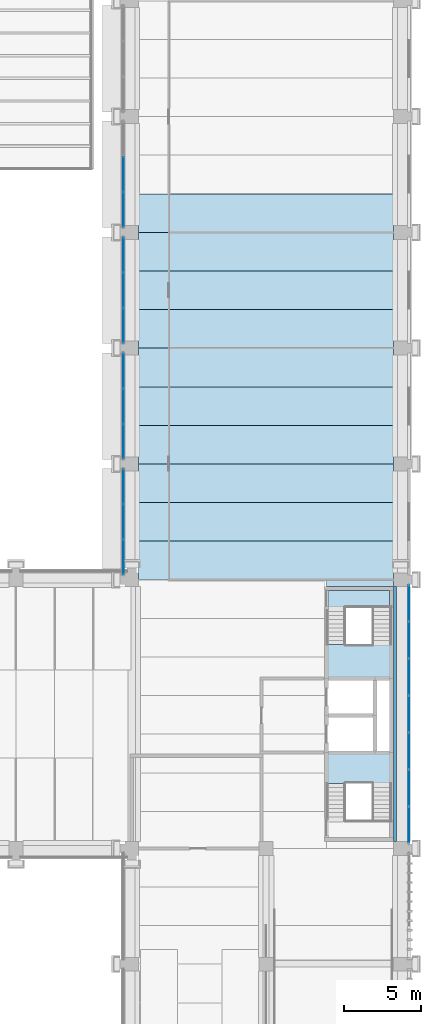
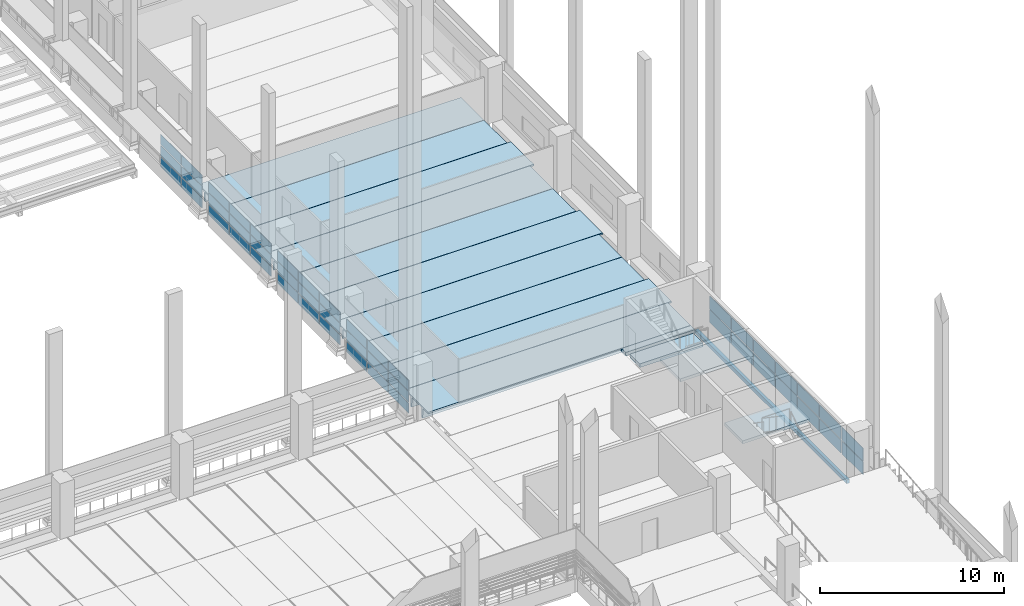
# One storey, part 33 of 67: 47 plates, 15 slabs, 7 elements without a shape of their own.
"""IFC4 building model written with IfcOpenShell, lengths in metres."""

from ifc_helpers import new_model, si_unit, direction, frame, origin, origin_2d, place, context, subcontext, project, spatial, polyline, rectangle, outline, extrude, material, layer, layer_set, material_profile, profile_set, type_object, element, aggregate, save


model = new_model("IFC4")

# Units and contexts
model_context = context("Model", 3, precision=1e-05, world=origin(), true_north=direction((0.0, 1.0)))
body_context = subcontext(model_context, "Body", "Model", "MODEL_VIEW")
ifc_project = project(units=[si_unit("LENGTHUNIT", "METRE"), si_unit("AREAUNIT", "SQUARE_METRE"), si_unit("VOLUMEUNIT", "CUBIC_METRE"), si_unit("PLANEANGLEUNIT", "RADIAN"), si_unit("MASSUNIT", "GRAM", prefix="KILO")], contexts=[model_context])

# Site, building, storey
site_placement = place(None, origin())
site = spatial("IfcSite", under=ifc_project, at=site_placement, CompositionType="ELEMENT")
building_placement = place(site_placement, origin())
building = spatial("IfcBuilding", under=site, at=building_placement, Name="Cour d'Honneur Mobility Palace", CompositionType="ELEMENT")
storey_placement = place(building_placement, frame((0.0, 0.0, 4.5)))
storey = spatial("IfcBuildingStorey", under=building, at=storey_placement, Name="L01", CompositionType="ELEMENT", Elevation=4.5)

# Slabs
ifc_material_1 = material(Name="Concrete C50", Category="concrete")
ifc_layer_1 = layer(ifc_material_1, 0.25)
ifc_layer_set_1 = layer_set([ifc_layer_1], Name="Concrete C50")
slab_type_1 = type_object("IfcSlabType", Name="Cast-in-place Slab 250", PredefinedType="FLOOR", material=ifc_layer_set_1)
slab_1_placement = place(storey_placement, frame((0.0, 0.0, -0.25)))
element("IfcSlab", 1, at=slab_1_placement, inside=storey, type_object=slab_type_1, Name="Cast-in-place slab S1 L01 core", PredefinedType="FLOOR", context=body_context, shape_type="SweptSolid", body=[
    extrude(outline(polyline([(161.85009765625, 61.949951171875), (157.5, 61.949951171875), (157.5, 62.39990234375), (161.85009765625, 62.39990234375), (161.85009765625, 61.949951171875)])), origin(), (0.0, 0.0, 1.0), 0.25),
])
slab_2_placement = place(storey_placement, frame((0.0, 0.0, -0.25)))
element("IfcSlab", 2, at=slab_2_placement, inside=storey, type_object=slab_type_1, Name="Cast-in-place slab S1 L01 core", PredefinedType="FLOOR", context=body_context, shape_type="SweptSolid", body=[
    extrude(outline(polyline([(162.050048828125, 61.949951171875), (162.050048828125, 45.449951171875), (161.85009765625, 45.449951171875), (161.85009765625, 61.949951171875), (162.050048828125, 61.949951171875)])), origin(), (0.0, 0.0, 1.0), 0.25),
])
slab_3_placement = place(storey_placement, frame((0.0, 0.0, -0.25)))
element("IfcSlab", 3, at=slab_3_placement, inside=storey, type_object=slab_type_1, Name="Cast-in-place slab S1 L01 core", PredefinedType="FLOOR", context=body_context, shape_type="SweptSolid", body=[
    extrude(outline(polyline([(161.60009765625, 61.699951171875), (161.60009765625, 60.625), (157.625, 60.625), (157.625, 61.699951171875), (161.60009765625, 61.699951171875)])), origin(), (0.0, 0.0, 1.0), 0.25),
])

# Curtain wall, plates
ifc_material_2 = material(Name="Aluminium and glass", Category="aluminium")
ifc_layer_2 = layer(ifc_material_2, 0.10009765625)
ifc_layer_set_2 = layer_set([ifc_layer_2], Name="Aluminium and glass")
curtain_wall_type = type_object("IfcCurtainWallType", Name="Curtain wall run", PredefinedType="NOTDEFINED", material=ifc_layer_set_2)
curtain_wall_1_placement = place(storey_placement, origin())
curtain_wall_1 = element("IfcCurtainWall", 4, at=curtain_wall_1_placement, inside=storey, type_object=curtain_wall_type, Name="Curtain wall CW-47", PredefinedType="NOTDEFINED")
ifc_material_3 = material(Name="Double glazing", Category="glass")
ifc_layer_3 = layer(ifc_material_3, 0.028076171875)
ifc_layer_set_3 = layer_set([ifc_layer_3], Name="Double glazing")
plate_type = type_object("IfcPlateType", Name="Curtain wall panel", PredefinedType="CURTAIN_PANEL", material=ifc_layer_set_3)
plate_1_placement = place(storey_placement, frame((144.35009765625, 88.64990234375, 0.06005859375), z_axis=(0.0, 0.0, 1.0), x_axis=(0.0, -1.0, 0.0)))
plate_1 = element("IfcPlate", 5, at=plate_1_placement, type_object=plate_type, Name="CW-47 panel 2.1", PredefinedType="CURTAIN_PANEL", context=body_context, shape_type="SweptSolid", body=[
    extrude(rectangle(XDim=2.239990234375, YDim=0.028076171875, at=origin_2d()), origin(), (0.0, 0.0, 1.0), 0.6767578125),
])
plate_2_placement = place(storey_placement, frame((144.35009765625, 88.64990234375, 0.79638671875), z_axis=(0.0, 0.0, 1.0), x_axis=(0.0, -1.0, 0.0)))
plate_2 = element("IfcPlate", 6, at=plate_2_placement, type_object=plate_type, Name="CW-47 panel 2.2", PredefinedType="CURTAIN_PANEL", context=body_context, shape_type="SweptSolid", body=[
    extrude(rectangle(XDim=2.239990234375, YDim=0.028076171875, at=origin_2d()), origin(), (0.0, 0.0, 1.0), 0.706787109375),
])
plate_3_placement = place(storey_placement, frame((144.35009765625, 88.64990234375, 1.563232421875), z_axis=(0.0, 0.0, 1.0), x_axis=(0.0, -1.0, 0.0)))
plate_3 = element("IfcPlate", 7, at=plate_3_placement, type_object=plate_type, Name="CW-47 panel 2.3", PredefinedType="CURTAIN_PANEL", context=body_context, shape_type="SweptSolid", body=[
    extrude(rectangle(XDim=2.239990234375, YDim=0.028076171875, at=origin_2d()), origin(), (0.0, 0.0, 1.0), 0.6767578125),
])
plate_4_placement = place(storey_placement, frame((144.35009765625, 86.364990234375, 0.06005859375), z_axis=(0.0, 0.0, 1.0), x_axis=(0.0, -1.0, 0.0)))
plate_4 = element("IfcPlate", 8, at=plate_4_placement, type_object=plate_type, Name="CW-47 panel 3.1", PredefinedType="CURTAIN_PANEL", context=body_context, shape_type="SweptSolid", body=[
    extrude(rectangle(XDim=2.2099609375, YDim=0.028076171875, at=origin_2d()), origin(), (0.0, 0.0, 1.0), 0.6767578125),
])
plate_5_placement = place(storey_placement, frame((144.35009765625, 86.364990234375, 0.79638671875), z_axis=(0.0, 0.0, 1.0), x_axis=(0.0, -1.0, 0.0)))
plate_5 = element("IfcPlate", 9, at=plate_5_placement, type_object=plate_type, Name="CW-47 panel 3.2", PredefinedType="CURTAIN_PANEL", context=body_context, shape_type="SweptSolid", body=[
    extrude(rectangle(XDim=2.2099609375, YDim=0.028076171875, at=origin_2d()), origin(), (0.0, 0.0, 1.0), 0.706787109375),
])
plate_6_placement = place(storey_placement, frame((144.35009765625, 86.364990234375, 1.563232421875), z_axis=(0.0, 0.0, 1.0), x_axis=(0.0, -1.0, 0.0)))
plate_6 = element("IfcPlate", 10, at=plate_6_placement, type_object=plate_type, Name="CW-47 panel 3.3", PredefinedType="CURTAIN_PANEL", context=body_context, shape_type="SweptSolid", body=[
    extrude(rectangle(XDim=2.2099609375, YDim=0.028076171875, at=origin_2d()), origin(), (0.0, 0.0, 1.0), 0.6767578125),
])
aggregate(curtain_wall_1, [plate_1, plate_2, plate_3, plate_4, plate_5, plate_6])

curtain_wall_2_placement = place(storey_placement, origin())
curtain_wall_2 = element("IfcCurtainWall", 11, at=curtain_wall_2_placement, inside=storey, type_object=curtain_wall_type, Name="Curtain wall CW-48", PredefinedType="NOTDEFINED")
plate_7_placement = place(storey_placement, frame((144.35009765625, 83.43505859375, 0.06005859375), z_axis=(0.0, 0.0, 1.0), x_axis=(0.0, -1.0, 0.0)))
plate_7 = element("IfcPlate", 12, at=plate_7_placement, type_object=plate_type, Name="CW-48 panel 1.1", PredefinedType="CURTAIN_PANEL", context=body_context, shape_type="SweptSolid", body=[
    extrude(rectangle(XDim=2.2099609375, YDim=0.028076171875, at=origin_2d()), origin(), (0.0, 0.0, 1.0), 0.6767578125),
])
plate_8_placement = place(storey_placement, frame((144.35009765625, 83.43505859375, 0.79638671875), z_axis=(0.0, 0.0, 1.0), x_axis=(0.0, -1.0, 0.0)))
plate_8 = element("IfcPlate", 13, at=plate_8_placement, type_object=plate_type, Name="CW-48 panel 1.2", PredefinedType="CURTAIN_PANEL", context=body_context, shape_type="SweptSolid", body=[
    extrude(rectangle(XDim=2.2099609375, YDim=0.028076171875, at=origin_2d()), origin(), (0.0, 0.0, 1.0), 0.706787109375),
])
plate_9_placement = place(storey_placement, frame((144.35009765625, 83.43505859375, 1.563232421875), z_axis=(0.0, 0.0, 1.0), x_axis=(0.0, -1.0, 0.0)))
plate_9 = element("IfcPlate", 14, at=plate_9_placement, type_object=plate_type, Name="CW-48 panel 1.3", PredefinedType="CURTAIN_PANEL", context=body_context, shape_type="SweptSolid", body=[
    extrude(rectangle(XDim=2.2099609375, YDim=0.028076171875, at=origin_2d()), origin(), (0.0, 0.0, 1.0), 0.6767578125),
])
plate_10_placement = place(storey_placement, frame((144.35009765625, 81.14990234375, 0.06005859375), z_axis=(0.0, 0.0, 1.0), x_axis=(0.0, -1.0, 0.0)))
plate_10 = element("IfcPlate", 15, at=plate_10_placement, type_object=plate_type, Name="CW-48 panel 2.1", PredefinedType="CURTAIN_PANEL", context=body_context, shape_type="SweptSolid", body=[
    extrude(rectangle(XDim=2.239990234375, YDim=0.028076171875, at=origin_2d()), origin(), (0.0, 0.0, 1.0), 0.6767578125),
])
plate_11_placement = place(storey_placement, frame((144.35009765625, 81.14990234375, 0.79638671875), z_axis=(0.0, 0.0, 1.0), x_axis=(0.0, -1.0, 0.0)))
plate_11 = element("IfcPlate", 16, at=plate_11_placement, type_object=plate_type, Name="CW-48 panel 2.2", PredefinedType="CURTAIN_PANEL", context=body_context, shape_type="SweptSolid", body=[
    extrude(rectangle(XDim=2.239990234375, YDim=0.028076171875, at=origin_2d()), origin(), (0.0, 0.0, 1.0), 0.706787109375),
])
plate_12_placement = place(storey_placement, frame((144.35009765625, 81.14990234375, 1.563232421875), z_axis=(0.0, 0.0, 1.0), x_axis=(0.0, -1.0, 0.0)))
plate_12 = element("IfcPlate", 17, at=plate_12_placement, type_object=plate_type, Name="CW-48 panel 2.3", PredefinedType="CURTAIN_PANEL", context=body_context, shape_type="SweptSolid", body=[
    extrude(rectangle(XDim=2.239990234375, YDim=0.028076171875, at=origin_2d()), origin(), (0.0, 0.0, 1.0), 0.6767578125),
])
plate_13_placement = place(storey_placement, frame((144.35009765625, 78.864990234375, 0.06005859375), z_axis=(0.0, 0.0, 1.0), x_axis=(0.0, -1.0, 0.0)))
plate_13 = element("IfcPlate", 18, at=plate_13_placement, type_object=plate_type, Name="CW-48 panel 3.1", PredefinedType="CURTAIN_PANEL", context=body_context, shape_type="SweptSolid", body=[
    extrude(rectangle(XDim=2.2099609375, YDim=0.028076171875, at=origin_2d()), origin(), (0.0, 0.0, 1.0), 0.6767578125),
])
plate_14_placement = place(storey_placement, frame((144.35009765625, 78.864990234375, 0.79638671875), z_axis=(0.0, 0.0, 1.0), x_axis=(0.0, -1.0, 0.0)))
plate_14 = element("IfcPlate", 19, at=plate_14_placement, type_object=plate_type, Name="CW-48 panel 3.2", PredefinedType="CURTAIN_PANEL", context=body_context, shape_type="SweptSolid", body=[
    extrude(rectangle(XDim=2.2099609375, YDim=0.028076171875, at=origin_2d()), origin(), (0.0, 0.0, 1.0), 0.706787109375),
])
plate_15_placement = place(storey_placement, frame((144.35009765625, 78.864990234375, 1.563232421875), z_axis=(0.0, 0.0, 1.0), x_axis=(0.0, -1.0, 0.0)))
plate_15 = element("IfcPlate", 20, at=plate_15_placement, type_object=plate_type, Name="CW-48 panel 3.3", PredefinedType="CURTAIN_PANEL", context=body_context, shape_type="SweptSolid", body=[
    extrude(rectangle(XDim=2.2099609375, YDim=0.028076171875, at=origin_2d()), origin(), (0.0, 0.0, 1.0), 0.6767578125),
])
aggregate(curtain_wall_2, [plate_7, plate_8, plate_9, plate_10, plate_11, plate_12, plate_13, plate_14, plate_15])

curtain_wall_3_placement = place(storey_placement, origin())
curtain_wall_3 = element("IfcCurtainWall", 21, at=curtain_wall_3_placement, inside=storey, type_object=curtain_wall_type, Name="Curtain wall CW-49", PredefinedType="NOTDEFINED")
plate_16_placement = place(storey_placement, frame((144.35009765625, 75.93505859375, 0.06005859375), z_axis=(0.0, 0.0, 1.0), x_axis=(0.0, -1.0, 0.0)))
plate_16 = element("IfcPlate", 22, at=plate_16_placement, type_object=plate_type, Name="CW-49 panel 1.1", PredefinedType="CURTAIN_PANEL", context=body_context, shape_type="SweptSolid", body=[
    extrude(rectangle(XDim=2.2099609375, YDim=0.028076171875, at=origin_2d()), origin(), (0.0, 0.0, 1.0), 0.6767578125),
])
plate_17_placement = place(storey_placement, frame((144.35009765625, 75.93505859375, 0.79638671875), z_axis=(0.0, 0.0, 1.0), x_axis=(0.0, -1.0, 0.0)))
plate_17 = element("IfcPlate", 23, at=plate_17_placement, type_object=plate_type, Name="CW-49 panel 1.2", PredefinedType="CURTAIN_PANEL", context=body_context, shape_type="SweptSolid", body=[
    extrude(rectangle(XDim=2.2099609375, YDim=0.028076171875, at=origin_2d()), origin(), (0.0, 0.0, 1.0), 0.706787109375),
])
plate_18_placement = place(storey_placement, frame((144.35009765625, 75.93505859375, 1.563232421875), z_axis=(0.0, 0.0, 1.0), x_axis=(0.0, -1.0, 0.0)))
plate_18 = element("IfcPlate", 24, at=plate_18_placement, type_object=plate_type, Name="CW-49 panel 1.3", PredefinedType="CURTAIN_PANEL", context=body_context, shape_type="SweptSolid", body=[
    extrude(rectangle(XDim=2.2099609375, YDim=0.028076171875, at=origin_2d()), origin(), (0.0, 0.0, 1.0), 0.6767578125),
])
plate_19_placement = place(storey_placement, frame((144.35009765625, 73.64990234375, 0.06005859375), z_axis=(0.0, 0.0, 1.0), x_axis=(0.0, -1.0, 0.0)))
plate_19 = element("IfcPlate", 25, at=plate_19_placement, type_object=plate_type, Name="CW-49 panel 2.1", PredefinedType="CURTAIN_PANEL", context=body_context, shape_type="SweptSolid", body=[
    extrude(rectangle(XDim=2.239990234375, YDim=0.028076171875, at=origin_2d()), origin(), (0.0, 0.0, 1.0), 0.6767578125),
])
plate_20_placement = place(storey_placement, frame((144.35009765625, 73.64990234375, 0.79638671875), z_axis=(0.0, 0.0, 1.0), x_axis=(0.0, -1.0, 0.0)))
plate_20 = element("IfcPlate", 26, at=plate_20_placement, type_object=plate_type, Name="CW-49 panel 2.2", PredefinedType="CURTAIN_PANEL", context=body_context, shape_type="SweptSolid", body=[
    extrude(rectangle(XDim=2.239990234375, YDim=0.028076171875, at=origin_2d()), origin(), (0.0, 0.0, 1.0), 0.706787109375),
])
plate_21_placement = place(storey_placement, frame((144.35009765625, 73.64990234375, 1.563232421875), z_axis=(0.0, 0.0, 1.0), x_axis=(0.0, -1.0, 0.0)))
plate_21 = element("IfcPlate", 27, at=plate_21_placement, type_object=plate_type, Name="CW-49 panel 2.3", PredefinedType="CURTAIN_PANEL", context=body_context, shape_type="SweptSolid", body=[
    extrude(rectangle(XDim=2.239990234375, YDim=0.028076171875, at=origin_2d()), origin(), (0.0, 0.0, 1.0), 0.6767578125),
])
plate_22_placement = place(storey_placement, frame((144.35009765625, 71.364990234375, 0.06005859375), z_axis=(0.0, 0.0, 1.0), x_axis=(0.0, -1.0, 0.0)))
plate_22 = element("IfcPlate", 28, at=plate_22_placement, type_object=plate_type, Name="CW-49 panel 3.1", PredefinedType="CURTAIN_PANEL", context=body_context, shape_type="SweptSolid", body=[
    extrude(rectangle(XDim=2.2099609375, YDim=0.028076171875, at=origin_2d()), origin(), (0.0, 0.0, 1.0), 0.6767578125),
])
plate_23_placement = place(storey_placement, frame((144.35009765625, 71.364990234375, 0.79638671875), z_axis=(0.0, 0.0, 1.0), x_axis=(0.0, -1.0, 0.0)))
plate_23 = element("IfcPlate", 29, at=plate_23_placement, type_object=plate_type, Name="CW-49 panel 3.2", PredefinedType="CURTAIN_PANEL", context=body_context, shape_type="SweptSolid", body=[
    extrude(rectangle(XDim=2.2099609375, YDim=0.028076171875, at=origin_2d()), origin(), (0.0, 0.0, 1.0), 0.706787109375),
])
plate_24_placement = place(storey_placement, frame((144.35009765625, 71.364990234375, 1.563232421875), z_axis=(0.0, 0.0, 1.0), x_axis=(0.0, -1.0, 0.0)))
plate_24 = element("IfcPlate", 30, at=plate_24_placement, type_object=plate_type, Name="CW-49 panel 3.3", PredefinedType="CURTAIN_PANEL", context=body_context, shape_type="SweptSolid", body=[
    extrude(rectangle(XDim=2.2099609375, YDim=0.028076171875, at=origin_2d()), origin(), (0.0, 0.0, 1.0), 0.6767578125),
])
aggregate(curtain_wall_3, [plate_16, plate_17, plate_18, plate_19, plate_20, plate_21, plate_22, plate_23, plate_24])

curtain_wall_4_placement = place(storey_placement, origin())
curtain_wall_4 = element("IfcCurtainWall", 31, at=curtain_wall_4_placement, inside=storey, type_object=curtain_wall_type, Name="Curtain wall CW-50", PredefinedType="NOTDEFINED")
plate_25_placement = place(storey_placement, frame((144.35009765625, 68.43505859375, 0.06005859375), z_axis=(0.0, 0.0, 1.0), x_axis=(0.0, -1.0, 0.0)))
plate_25 = element("IfcPlate", 32, at=plate_25_placement, type_object=plate_type, Name="CW-50 panel 1.1", PredefinedType="CURTAIN_PANEL", context=body_context, shape_type="SweptSolid", body=[
    extrude(rectangle(XDim=2.2099609375, YDim=0.028076171875, at=origin_2d()), origin(), (0.0, 0.0, 1.0), 0.6767578125),
])
plate_26_placement = place(storey_placement, frame((144.35009765625, 68.43505859375, 0.79638671875), z_axis=(0.0, 0.0, 1.0), x_axis=(0.0, -1.0, 0.0)))
plate_26 = element("IfcPlate", 33, at=plate_26_placement, type_object=plate_type, Name="CW-50 panel 1.2", PredefinedType="CURTAIN_PANEL", context=body_context, shape_type="SweptSolid", body=[
    extrude(rectangle(XDim=2.2099609375, YDim=0.028076171875, at=origin_2d()), origin(), (0.0, 0.0, 1.0), 0.706787109375),
])
plate_27_placement = place(storey_placement, frame((144.35009765625, 68.43505859375, 1.563232421875), z_axis=(0.0, 0.0, 1.0), x_axis=(0.0, -1.0, 0.0)))
plate_27 = element("IfcPlate", 34, at=plate_27_placement, type_object=plate_type, Name="CW-50 panel 1.3", PredefinedType="CURTAIN_PANEL", context=body_context, shape_type="SweptSolid", body=[
    extrude(rectangle(XDim=2.2099609375, YDim=0.028076171875, at=origin_2d()), origin(), (0.0, 0.0, 1.0), 0.6767578125),
])
plate_28_placement = place(storey_placement, frame((144.35009765625, 66.14990234375, 0.06005859375), z_axis=(0.0, 0.0, 1.0), x_axis=(0.0, -1.0, 0.0)))
plate_28 = element("IfcPlate", 35, at=plate_28_placement, type_object=plate_type, Name="CW-50 panel 2.1", PredefinedType="CURTAIN_PANEL", context=body_context, shape_type="SweptSolid", body=[
    extrude(rectangle(XDim=2.239990234375, YDim=0.028076171875, at=origin_2d()), origin(), (0.0, 0.0, 1.0), 0.6767578125),
])
plate_29_placement = place(storey_placement, frame((144.35009765625, 66.14990234375, 0.79638671875), z_axis=(0.0, 0.0, 1.0), x_axis=(0.0, -1.0, 0.0)))
plate_29 = element("IfcPlate", 36, at=plate_29_placement, type_object=plate_type, Name="CW-50 panel 2.2", PredefinedType="CURTAIN_PANEL", context=body_context, shape_type="SweptSolid", body=[
    extrude(rectangle(XDim=2.239990234375, YDim=0.028076171875, at=origin_2d()), origin(), (0.0, 0.0, 1.0), 0.706787109375),
])
plate_30_placement = place(storey_placement, frame((144.35009765625, 66.14990234375, 1.563232421875), z_axis=(0.0, 0.0, 1.0), x_axis=(0.0, -1.0, 0.0)))
plate_30 = element("IfcPlate", 37, at=plate_30_placement, type_object=plate_type, Name="CW-50 panel 2.3", PredefinedType="CURTAIN_PANEL", context=body_context, shape_type="SweptSolid", body=[
    extrude(rectangle(XDim=2.239990234375, YDim=0.028076171875, at=origin_2d()), origin(), (0.0, 0.0, 1.0), 0.6767578125),
])
plate_31_placement = place(storey_placement, frame((144.35009765625, 63.864990234375, 0.06005859375), z_axis=(0.0, 0.0, 1.0), x_axis=(0.0, -1.0, 0.0)))
plate_31 = element("IfcPlate", 38, at=plate_31_placement, type_object=plate_type, Name="CW-50 panel 3.1", PredefinedType="CURTAIN_PANEL", context=body_context, shape_type="SweptSolid", body=[
    extrude(rectangle(XDim=2.2099609375, YDim=0.028076171875, at=origin_2d()), origin(), (0.0, 0.0, 1.0), 0.6767578125),
])
plate_32_placement = place(storey_placement, frame((144.35009765625, 63.864990234375, 0.79638671875), z_axis=(0.0, 0.0, 1.0), x_axis=(0.0, -1.0, 0.0)))
plate_32 = element("IfcPlate", 39, at=plate_32_placement, type_object=plate_type, Name="CW-50 panel 3.2", PredefinedType="CURTAIN_PANEL", context=body_context, shape_type="SweptSolid", body=[
    extrude(rectangle(XDim=2.2099609375, YDim=0.028076171875, at=origin_2d()), origin(), (0.0, 0.0, 1.0), 0.706787109375),
])
plate_33_placement = place(storey_placement, frame((144.35009765625, 63.864990234375, 1.563232421875), z_axis=(0.0, 0.0, 1.0), x_axis=(0.0, -1.0, 0.0)))
plate_33 = element("IfcPlate", 40, at=plate_33_placement, type_object=plate_type, Name="CW-50 panel 3.3", PredefinedType="CURTAIN_PANEL", context=body_context, shape_type="SweptSolid", body=[
    extrude(rectangle(XDim=2.2099609375, YDim=0.028076171875, at=origin_2d()), origin(), (0.0, 0.0, 1.0), 0.6767578125),
])
aggregate(curtain_wall_4, [plate_25, plate_26, plate_27, plate_28, plate_29, plate_30, plate_31, plate_32, plate_33])

curtain_wall_5_placement = place(storey_placement, origin())
curtain_wall_5 = element("IfcCurtainWall", 41, at=curtain_wall_5_placement, inside=storey, type_object=curtain_wall_type, Name="Curtain wall CW-87", PredefinedType="NOTDEFINED")
plate_34_placement = place(storey_placement, frame((162.85009765625, 46.514892578125, 0.06005859375), z_axis=(0.0, 0.0, 1.0), x_axis=(0.0, 1.0, 0.0)))
plate_34 = element("IfcPlate", 42, at=plate_34_placement, type_object=plate_type, Name="CW-87 panel 1.1", PredefinedType="CURTAIN_PANEL", context=body_context, shape_type="SweptSolid", body=[
    extrude(rectangle(XDim=2.31005859375, YDim=0.028076171875, at=origin_2d()), origin(), (0.0, 0.0, 1.0), 0.860107421875),
])
plate_35_placement = place(storey_placement, frame((162.85009765625, 46.514892578125, 0.97998046875), z_axis=(0.0, 0.0, 1.0), x_axis=(0.0, 1.0, 0.0)))
plate_35 = element("IfcPlate", 43, at=plate_35_placement, type_object=plate_type, Name="CW-87 panel 1.2", PredefinedType="CURTAIN_PANEL", context=body_context, shape_type="SweptSolid", body=[
    extrude(rectangle(XDim=2.31005859375, YDim=0.028076171875, at=origin_2d()), origin(), (0.0, 0.0, 1.0), 0.860107421875),
])
plate_36_placement = place(storey_placement, frame((162.85009765625, 48.89990234375, 0.06005859375), z_axis=(0.0, 0.0, 1.0), x_axis=(0.0, 1.0, 0.0)))
plate_36 = element("IfcPlate", 44, at=plate_36_placement, type_object=plate_type, Name="CW-87 panel 2.1", PredefinedType="CURTAIN_PANEL", context=body_context, shape_type="SweptSolid", body=[
    extrude(rectangle(XDim=2.340087890625, YDim=0.028076171875, at=origin_2d()), origin(), (0.0, 0.0, 1.0), 0.860107421875),
])
plate_37_placement = place(storey_placement, frame((162.85009765625, 48.89990234375, 0.97998046875), z_axis=(0.0, 0.0, 1.0), x_axis=(0.0, 1.0, 0.0)))
plate_37 = element("IfcPlate", 45, at=plate_37_placement, type_object=plate_type, Name="CW-87 panel 2.2", PredefinedType="CURTAIN_PANEL", context=body_context, shape_type="SweptSolid", body=[
    extrude(rectangle(XDim=2.340087890625, YDim=0.028076171875, at=origin_2d()), origin(), (0.0, 0.0, 1.0), 0.860107421875),
])
plate_38_placement = place(storey_placement, frame((162.85009765625, 51.300048828125, 0.06005859375), z_axis=(0.0, 0.0, 1.0), x_axis=(0.0, 1.0, 0.0)))
plate_38 = element("IfcPlate", 46, at=plate_38_placement, type_object=plate_type, Name="CW-87 panel 3.1", PredefinedType="CURTAIN_PANEL", context=body_context, shape_type="SweptSolid", body=[
    extrude(rectangle(XDim=2.340087890625, YDim=0.028076171875, at=origin_2d()), origin(), (0.0, 0.0, 1.0), 0.860107421875),
])
plate_39_placement = place(storey_placement, frame((162.85009765625, 51.300048828125, 0.97998046875), z_axis=(0.0, 0.0, 1.0), x_axis=(0.0, 1.0, 0.0)))
plate_39 = element("IfcPlate", 47, at=plate_39_placement, type_object=plate_type, Name="CW-87 panel 3.2", PredefinedType="CURTAIN_PANEL", context=body_context, shape_type="SweptSolid", body=[
    extrude(rectangle(XDim=2.340087890625, YDim=0.028076171875, at=origin_2d()), origin(), (0.0, 0.0, 1.0), 0.860107421875),
])
plate_40_placement = place(storey_placement, frame((162.85009765625, 53.699951171875, 0.06005859375), z_axis=(0.0, 0.0, 1.0), x_axis=(0.0, 1.0, 0.0)))
plate_40 = element("IfcPlate", 48, at=plate_40_placement, type_object=plate_type, Name="CW-87 panel 4.1", PredefinedType="CURTAIN_PANEL", context=body_context, shape_type="SweptSolid", body=[
    extrude(rectangle(XDim=2.340087890625, YDim=0.028076171875, at=origin_2d()), origin(), (0.0, 0.0, 1.0), 0.860107421875),
])
plate_41_placement = place(storey_placement, frame((162.85009765625, 53.699951171875, 0.97998046875), z_axis=(0.0, 0.0, 1.0), x_axis=(0.0, 1.0, 0.0)))
plate_41 = element("IfcPlate", 49, at=plate_41_placement, type_object=plate_type, Name="CW-87 panel 4.2", PredefinedType="CURTAIN_PANEL", context=body_context, shape_type="SweptSolid", body=[
    extrude(rectangle(XDim=2.340087890625, YDim=0.028076171875, at=origin_2d()), origin(), (0.0, 0.0, 1.0), 0.860107421875),
])
plate_42_placement = place(storey_placement, frame((162.85009765625, 56.10009765625, 0.06005859375), z_axis=(0.0, 0.0, 1.0), x_axis=(0.0, 1.0, 0.0)))
plate_42 = element("IfcPlate", 50, at=plate_42_placement, type_object=plate_type, Name="CW-87 panel 5.1", PredefinedType="CURTAIN_PANEL", context=body_context, shape_type="SweptSolid", body=[
    extrude(rectangle(XDim=2.340087890625, YDim=0.028076171875, at=origin_2d()), origin(), (0.0, 0.0, 1.0), 0.860107421875),
])
plate_43_placement = place(storey_placement, frame((162.85009765625, 56.10009765625, 0.97998046875), z_axis=(0.0, 0.0, 1.0), x_axis=(0.0, 1.0, 0.0)))
plate_43 = element("IfcPlate", 51, at=plate_43_placement, type_object=plate_type, Name="CW-87 panel 5.2", PredefinedType="CURTAIN_PANEL", context=body_context, shape_type="SweptSolid", body=[
    extrude(rectangle(XDim=2.340087890625, YDim=0.028076171875, at=origin_2d()), origin(), (0.0, 0.0, 1.0), 0.860107421875),
])
plate_44_placement = place(storey_placement, frame((162.85009765625, 58.5, 0.06005859375), z_axis=(0.0, 0.0, 1.0), x_axis=(0.0, 1.0, 0.0)))
plate_44 = element("IfcPlate", 52, at=plate_44_placement, type_object=plate_type, Name="CW-87 panel 6.1", PredefinedType="CURTAIN_PANEL", context=body_context, shape_type="SweptSolid", body=[
    extrude(rectangle(XDim=2.340087890625, YDim=0.028076171875, at=origin_2d()), origin(), (0.0, 0.0, 1.0), 0.860107421875),
])
plate_45_placement = place(storey_placement, frame((162.85009765625, 58.5, 0.97998046875), z_axis=(0.0, 0.0, 1.0), x_axis=(0.0, 1.0, 0.0)))
plate_45 = element("IfcPlate", 53, at=plate_45_placement, type_object=plate_type, Name="CW-87 panel 6.2", PredefinedType="CURTAIN_PANEL", context=body_context, shape_type="SweptSolid", body=[
    extrude(rectangle(XDim=2.340087890625, YDim=0.028076171875, at=origin_2d()), origin(), (0.0, 0.0, 1.0), 0.860107421875),
])
plate_46_placement = place(storey_placement, frame((162.85009765625, 60.885009765625, 0.06005859375), z_axis=(0.0, 0.0, 1.0), x_axis=(0.0, 1.0, 0.0)))
plate_46 = element("IfcPlate", 54, at=plate_46_placement, type_object=plate_type, Name="CW-87 panel 7.1", PredefinedType="CURTAIN_PANEL", context=body_context, shape_type="SweptSolid", body=[
    extrude(rectangle(XDim=2.31005859375, YDim=0.028076171875, at=origin_2d()), origin(), (0.0, 0.0, 1.0), 0.860107421875),
])
plate_47_placement = place(storey_placement, frame((162.85009765625, 60.885009765625, 0.97998046875), z_axis=(0.0, 0.0, 1.0), x_axis=(0.0, 1.0, 0.0)))
plate_47 = element("IfcPlate", 55, at=plate_47_placement, type_object=plate_type, Name="CW-87 panel 7.2", PredefinedType="CURTAIN_PANEL", context=body_context, shape_type="SweptSolid", body=[
    extrude(rectangle(XDim=2.31005859375, YDim=0.028076171875, at=origin_2d()), origin(), (0.0, 0.0, 1.0), 0.860107421875),
])
aggregate(curtain_wall_5, [plate_34, plate_35, plate_36, plate_37, plate_38, plate_39, plate_40, plate_41, plate_42, plate_43, plate_44, plate_45, plate_46, plate_47])

# Slabs
ifc_material_4 = material(Name="Concrete C45", Category="concrete")
ifc_material_profile = material_profile(ifc_material_4, outline(polyline([(-1.2451171875, 0.0), (1.2451171875, 0.0), (1.2451171875, -0.10009765625), (0.679931640625, -0.10009765625), (0.64990234375, -0.75), (0.550048828125, -0.75), (0.52001953125, -0.10009765625), (-0.52001953125, -0.10009765625), (-0.550048828125, -0.75), (-0.64990234375, -0.75), (-0.679931640625, -0.10009765625), (-1.2451171875, -0.10009765625), (-1.2451171875, 0.0)])), Name="DT 2490x750")
ifc_profile_set = profile_set([ifc_material_profile], Name="Concrete C45")
slab_type_2 = type_object("IfcSlabType", Name="DT 2490x750", PredefinedType="FLOOR", material=ifc_profile_set)
slab_4_placement = place(storey_placement, frame((145.35009765625, 63.64990234375, 0.0), z_axis=(1.0, 0.0, 0.0), x_axis=(0.0, 1.0, 0.0)))
element("IfcSlab", 56, at=slab_4_placement, inside=storey, type_object=slab_type_2, Name="Double tee DT-NE1 L01", PredefinedType="FLOOR", context=body_context, shape_type="SweptSolid", body=[
    extrude(outline(polyline([(-1.2451171875, 0.0), (1.2451171875, 0.0), (1.2451171875, -0.10009765625), (0.679931640625, -0.10009765625), (0.64990234375, -0.75), (0.550048828125, -0.75), (0.52001953125, -0.10009765625), (-0.52001953125, -0.10009765625), (-0.550048828125, -0.75), (-0.64990234375, -0.75), (-0.679931640625, -0.10009765625), (-1.2451171875, -0.10009765625), (-1.2451171875, 0.0)])), origin(), (0.0, 0.0, 1.0), 16.5),
])
slab_5_placement = place(storey_placement, frame((145.10009765625, 66.14990234375, 0.0), z_axis=(1.0, 0.0, 0.0), x_axis=(0.0, 1.0, 0.0)))
element("IfcSlab", 57, at=slab_5_placement, inside=storey, type_object=slab_type_2, Name="Double tee DT-NE2 L01", PredefinedType="FLOOR", context=body_context, shape_type="SweptSolid", body=[
    extrude(outline(polyline([(-1.2451171875, 0.0), (1.2451171875, 0.0), (1.2451171875, -0.10009765625), (0.679931640625, -0.10009765625), (0.64990234375, -0.75), (0.550048828125, -0.75), (0.52001953125, -0.10009765625), (-0.52001953125, -0.10009765625), (-0.550048828125, -0.75), (-0.64990234375, -0.75), (-0.679931640625, -0.10009765625), (-1.2451171875, -0.10009765625), (-1.2451171875, 0.0)])), origin(), (0.0, 0.0, 1.0), 17.0),
])
for number, where, z_axis, x_axis, name in (
    (58, (145.35009765625, 68.64990234375, 0.0), (1.0, 0.0, 0.0), (0.0, 1.0, 0.0), "Double tee DT-NE3 L01"),
    (59, (145.35009765625, 71.14990234375, 0.0), (1.0, 0.0, 0.0), (0.0, 1.0, 0.0), "Double tee DT-NE4 L01"),
):
    element("IfcSlab", number, at=place(storey_placement, frame(where, z_axis=z_axis, x_axis=x_axis)), inside=storey, type_object=slab_type_2, Name=name, PredefinedType="FLOOR", context=body_context, shape_type="SweptSolid", body=[
        extrude(outline(polyline([(-1.2451171875, 0.0), (1.2451171875, 0.0), (1.2451171875, -0.10009765625), (0.679931640625, -0.10009765625), (0.64990234375, -0.75), (0.550048828125, -0.75), (0.52001953125, -0.10009765625), (-0.52001953125, -0.10009765625), (-0.550048828125, -0.75), (-0.64990234375, -0.75), (-0.679931640625, -0.10009765625), (-1.2451171875, -0.10009765625), (-1.2451171875, 0.0)])), origin(), (0.0, 0.0, 1.0), 16.5),
    ])
slab_6_placement = place(storey_placement, frame((145.10009765625, 73.64990234375, 0.0), z_axis=(1.0, 0.0, 0.0), x_axis=(0.0, 1.0, 0.0)))
element("IfcSlab", 60, at=slab_6_placement, inside=storey, type_object=slab_type_2, Name="Double tee DT-NE5 L01", PredefinedType="FLOOR", context=body_context, shape_type="SweptSolid", body=[
    extrude(outline(polyline([(-1.2451171875, 0.0), (1.2451171875, 0.0), (1.2451171875, -0.10009765625), (0.679931640625, -0.10009765625), (0.64990234375, -0.75), (0.550048828125, -0.75), (0.52001953125, -0.10009765625), (-0.52001953125, -0.10009765625), (-0.550048828125, -0.75), (-0.64990234375, -0.75), (-0.679931640625, -0.10009765625), (-1.2451171875, -0.10009765625), (-1.2451171875, 0.0)])), origin(), (0.0, 0.0, 1.0), 17.0),
])
for number, where, z_axis, x_axis, name in (
    (61, (145.35009765625, 76.14990234375, 0.0), (1.0, 0.0, 0.0), (0.0, 1.0, 0.0), "Double tee DT-NE6 L01"),
    (62, (145.35009765625, 78.64990234375, 0.0), (1.0, 0.0, 0.0), (0.0, 1.0, 0.0), "Double tee DT-NE7 L01"),
):
    element("IfcSlab", number, at=place(storey_placement, frame(where, z_axis=z_axis, x_axis=x_axis)), inside=storey, type_object=slab_type_2, Name=name, PredefinedType="FLOOR", context=body_context, shape_type="SweptSolid", body=[
        extrude(outline(polyline([(-1.2451171875, 0.0), (1.2451171875, 0.0), (1.2451171875, -0.10009765625), (0.679931640625, -0.10009765625), (0.64990234375, -0.75), (0.550048828125, -0.75), (0.52001953125, -0.10009765625), (-0.52001953125, -0.10009765625), (-0.550048828125, -0.75), (-0.64990234375, -0.75), (-0.679931640625, -0.10009765625), (-1.2451171875, -0.10009765625), (-1.2451171875, 0.0)])), origin(), (0.0, 0.0, 1.0), 16.5),
    ])
slab_7_placement = place(storey_placement, frame((145.10009765625, 81.14990234375, 0.0), z_axis=(1.0, 0.0, 0.0), x_axis=(0.0, 1.0, 0.0)))
element("IfcSlab", 63, at=slab_7_placement, inside=storey, type_object=slab_type_2, Name="Double tee DT-NE8 L01", PredefinedType="FLOOR", context=body_context, shape_type="SweptSolid", body=[
    extrude(outline(polyline([(-1.2451171875, 0.0), (1.2451171875, 0.0), (1.2451171875, -0.10009765625), (0.679931640625, -0.10009765625), (0.64990234375, -0.75), (0.550048828125, -0.75), (0.52001953125, -0.10009765625), (-0.52001953125, -0.10009765625), (-0.550048828125, -0.75), (-0.64990234375, -0.75), (-0.679931640625, -0.10009765625), (-1.2451171875, -0.10009765625), (-1.2451171875, 0.0)])), origin(), (0.0, 0.0, 1.0), 17.0),
])
for number, where, z_axis, x_axis, name in (
    (64, (145.35009765625, 83.64990234375, 0.0), (1.0, 0.0, 0.0), (0.0, 1.0, 0.0), "Double tee DT-NE9 L01"),
    (65, (145.35009765625, 86.14990234375, 0.0), (1.0, 0.0, 0.0), (0.0, 1.0, 0.0), "Double tee DT-NE10 L01"),
):
    element("IfcSlab", number, at=place(storey_placement, frame(where, z_axis=z_axis, x_axis=x_axis)), inside=storey, type_object=slab_type_2, Name=name, PredefinedType="FLOOR", context=body_context, shape_type="SweptSolid", body=[
        extrude(outline(polyline([(-1.2451171875, 0.0), (1.2451171875, 0.0), (1.2451171875, -0.10009765625), (0.679931640625, -0.10009765625), (0.64990234375, -0.75), (0.550048828125, -0.75), (0.52001953125, -0.10009765625), (-0.52001953125, -0.10009765625), (-0.550048828125, -0.75), (-0.64990234375, -0.75), (-0.679931640625, -0.10009765625), (-1.2451171875, -0.10009765625), (-1.2451171875, 0.0)])), origin(), (0.0, 0.0, 1.0), 16.5),
    ])

# Stair, slab
ifc_material_5 = material(Name="Concrete C50", Category="concrete")
stair_type = type_object("IfcStairType", Name="Stair 20 risers", PredefinedType="HALF_TURN_STAIR", material=ifc_material_5)
stair_1_placement = place(storey_placement, origin())
stair_1 = element("IfcStair", 66, at=stair_1_placement, inside=storey, type_object=stair_type, Name="Stair ST-CE1", PredefinedType="HALF_TURN_STAIR")
ifc_material_6 = material(Name="Concrete C50", Category="concrete")
ifc_layer_4 = layer(ifc_material_6, 0.199951171875)
ifc_layer_set_4 = layer_set([ifc_layer_4], Name="Concrete C50")
slab_type_3 = type_object("IfcSlabType", Name="Stair landing", PredefinedType="LANDING", material=ifc_layer_set_4)
slab_8_placement = place(storey_placement, frame((0.0, 0.0, 1.64990234375)))
slab_8 = element("IfcSlab", 67, at=slab_8_placement, type_object=slab_type_3, Name="ST-CE1 landing 1", PredefinedType="LANDING", context=body_context, shape_type="SweptSolid", body=[
    extrude(outline(polyline([(157.5, 49.205078125), (161.72509765625, 49.205078125), (161.72509765625, 51.199951171875), (157.5, 51.199951171875), (157.5, 49.205078125)])), origin(), (0.0, 0.0, 1.0), 0.2001953125),
])
aggregate(stair_1, [slab_8])

stair_2_placement = place(storey_placement, origin())
stair_2 = element("IfcStair", 68, at=stair_2_placement, inside=storey, type_object=stair_type, Name="Stair ST-CE2", PredefinedType="HALF_TURN_STAIR")
slab_9_placement = place(storey_placement, frame((0.0, 0.0, 1.64990234375)))
slab_9 = element("IfcSlab", 69, at=slab_9_placement, type_object=slab_type_3, Name="ST-CE2 landing 1", PredefinedType="LANDING", context=body_context, shape_type="SweptSolid", body=[
    extrude(outline(polyline([(157.5, 56.0), (161.72509765625, 56.0), (161.72509765625, 58.195068359375), (157.5, 58.195068359375), (157.5, 56.0)])), origin(), (0.0, 0.0, 1.0), 0.2001953125),
])
aggregate(stair_2, [slab_9])

save(model, "model.ifc")
